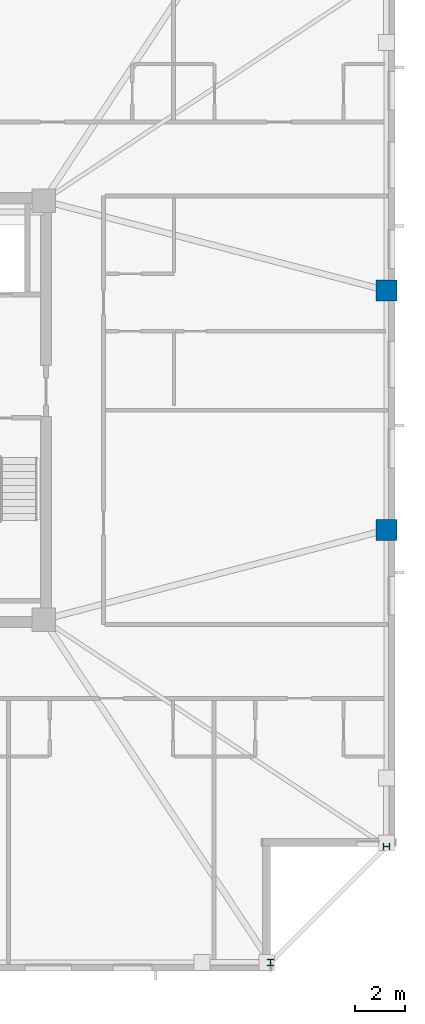
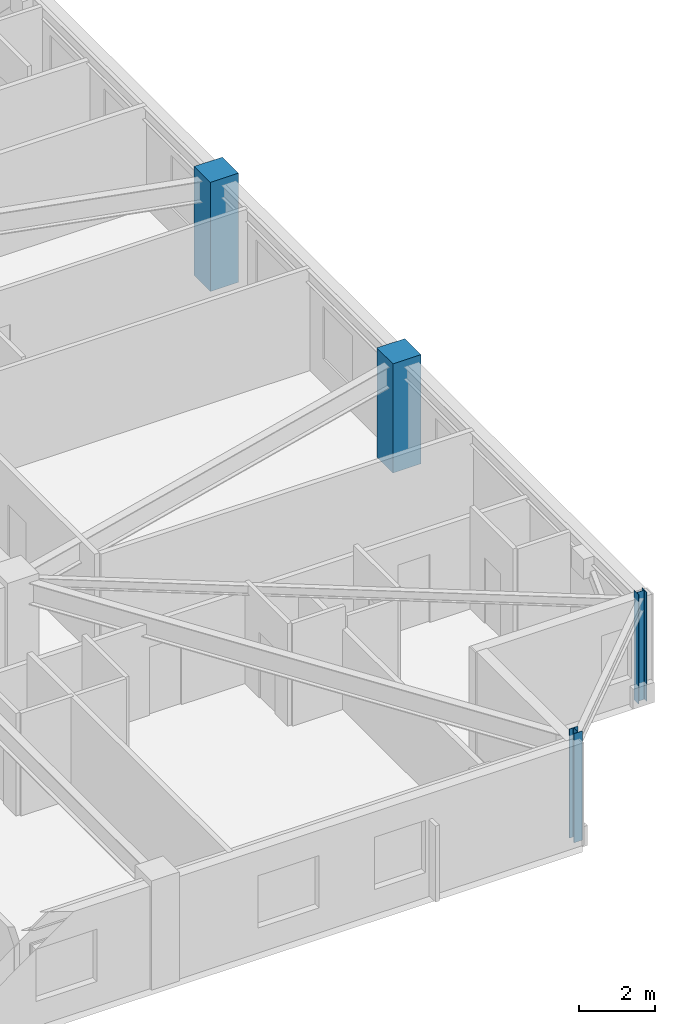
# One storey, part 3 of 17: 4 columns.
"""IFC4 building model written with IfcOpenShell, lengths in metres."""

from ifc_helpers import new_model, si_unit, direction, frame, origin, origin_2d, place, context, subcontext, project, spatial, rectangle, i_section, extrude, material, material_profile, profile_set, type_object, element, save


model = new_model("IFC4")

# Units and contexts
model_context = context("Model", 3, precision=1e-05, world=origin(), true_north=direction((0.0, 1.0)))
body_context = subcontext(model_context, "Body", "Model", "MODEL_VIEW")
ifc_project = project(units=[si_unit("LENGTHUNIT", "METRE"), si_unit("AREAUNIT", "SQUARE_METRE"), si_unit("VOLUMEUNIT", "CUBIC_METRE"), si_unit("PLANEANGLEUNIT", "RADIAN"), si_unit("MASSUNIT", "GRAM", prefix="KILO")], contexts=[model_context])

# Site, building, storey
site_placement = place(None, origin())
site = spatial("IfcSite", under=ifc_project, at=site_placement, CompositionType="ELEMENT")
building_placement = place(site_placement, origin())
building = spatial("IfcBuilding", under=site, at=building_placement, Name="Cairnveth Concourse Tower", CompositionType="ELEMENT")
storey_placement = place(building_placement, frame((0.0, 0.0, 234.0)))
storey = spatial("IfcBuildingStorey", under=building, at=storey_placement, Name="L64", CompositionType="ELEMENT", Elevation=234.0)

# Columns
ifc_material_1 = material(Name="Concrete N65 (65 MPa)", Category="concrete")
ifc_material_profile_1 = material_profile(ifc_material_1, rectangle(XDim=0.85009765625, YDim=0.85009765625, at=origin_2d()), Name="RC-COL-850x850")
ifc_profile_set_1 = profile_set([ifc_material_profile_1], Name="Concrete N65 (65 MPa)")
column_type_1 = type_object("IfcColumnType", Name="PERIMETER PIER COLUMN 850X850", PredefinedType="COLUMN", material=ifc_profile_set_1)
for number, where, z_axis, x_axis, name in (
    (1, (74.14990234375, 34.199951171875, 0.0), (0.0, 0.0, 1.0), (0.0, 1.0, 0.0), "Column P-E2 L64"),
    (2, (74.14990234375, 43.800048828125, 0.0), (0.0, 0.0, 1.0), (0.0, 1.0, 0.0), "Column P-E3 L64"),
):
    element("IfcColumn", number, at=place(storey_placement, frame(where, z_axis=z_axis, x_axis=x_axis)), inside=storey, type_object=column_type_1, Name=name, PredefinedType="COLUMN", context=body_context, shape_type="SweptSolid", body=[
        extrude(rectangle(XDim=0.85009765625, YDim=0.85009765625, at=origin_2d()), origin(), (0.0, 0.0, 1.0), 3.5),
    ])
ifc_material_2 = material(Name="Steel Grade 350", Category="steel")
ifc_material_profile_2 = material_profile(ifc_material_2, i_section(OverallWidth=0.256103515625, OverallDepth=0.260009765625, WebThickness=0.010498046875, FlangeThickness=0.017333984375, FilletRadius=0.012939453125, at=origin_2d()), Name="250UC89.5")
ifc_profile_set_2 = profile_set([ifc_material_profile_2], Name="Steel Grade 350")
column_type_2 = type_object("IfcColumnType", Name="UNIVERSAL STEEL COLUMN 250UC89.5", PredefinedType="COLUMN", material=ifc_profile_set_2)
for number, where, z_axis, x_axis, name in (
    (3, (69.5, 16.85009765625, 0.0), (0.0, 0.0, 1.0), (1.0, 0.0, 0.0), "Column P-S4 L64"),
    (4, (74.14990234375, 21.5, 0.0), (0.0, 0.0, 1.0), (0.0, 1.0, 0.0), "Column P-E1 L64"),
):
    element("IfcColumn", number, at=place(storey_placement, frame(where, z_axis=z_axis, x_axis=x_axis)), inside=storey, type_object=column_type_2, Name=name, PredefinedType="COLUMN", context=body_context, shape_type="SweptSolid", body=[
        extrude(i_section(OverallWidth=0.256103515625, OverallDepth=0.260009765625, WebThickness=0.010498046875, FlangeThickness=0.017333984375, FilletRadius=0.012939453125, at=origin_2d()), origin(), (0.0, 0.0, 1.0), 3.5),
    ])

save(model, "model.ifc")
